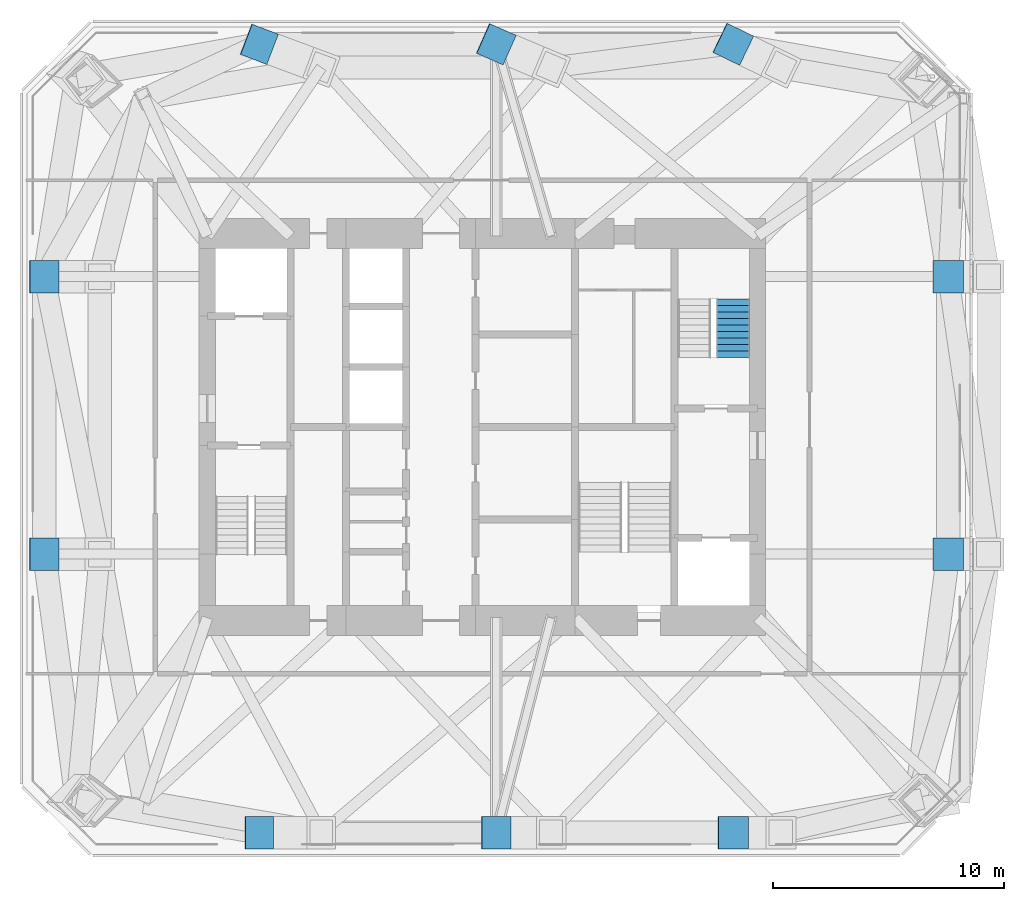
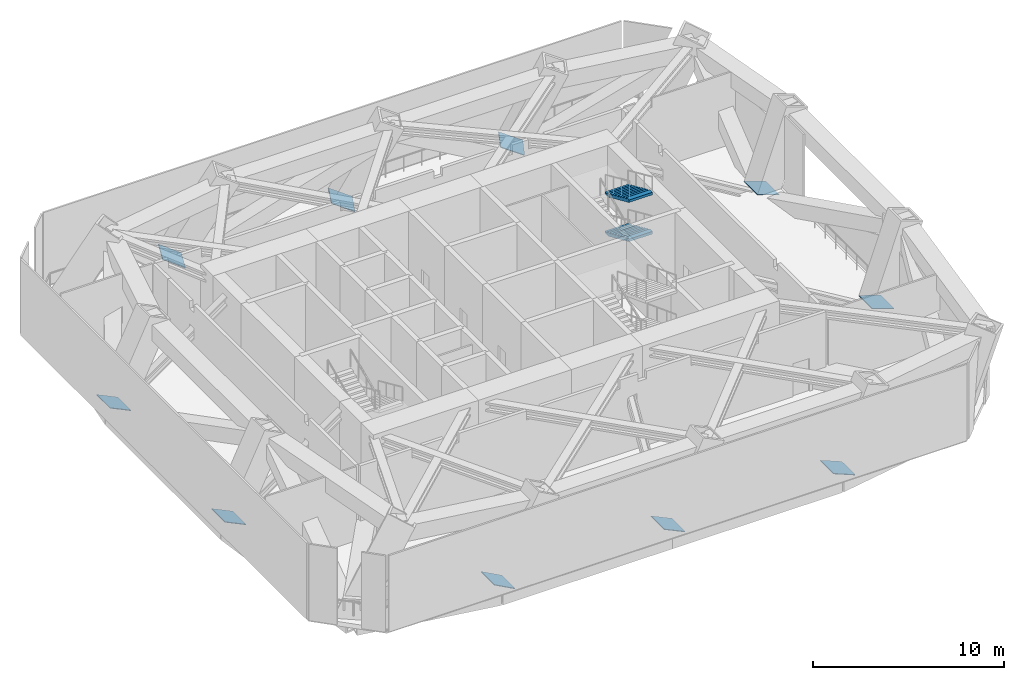
# One storey, part 6 of 8: 10 discrete accessories, 2 stair flights, 1 element without a shape of its own.
"""IFC4 building model written with IfcOpenShell, lengths in metres."""

import ifcopenshell
import ifcopenshell.guid

model = None  # the IFC model being written
_history = None  # IfcOwnerHistory: only IFC2X3 demands one
_inside = {}  # id of a spatial element -> (the spatial element, [elements in it])
_under = {}  # id of a project, library or spatial element -> (it, [spatial elements below it])
_declared = {}  # id of a project -> (the project, [libraries it declares])
_typed = {}  # id of a type object -> (the type object, [elements of that type])
_made_of = {}  # id of a material, layer set ... -> (it, [elements and type objects made of it])


def new_model(schema):
    """Start an empty IFC model of exactly this schema.

    Asked for "IFC4X3", IfcOpenShell would pick the latest addendum, in which some entities
    have other attributes; the version numbers below select the first issue.
    IFC2X3 requires an IfcOwnerHistory on every rooted entity: one is made here for all.
    """
    global model, _history
    if schema == "IFC4X3":
        model = ifcopenshell.file(schema_version=(4, 3, 0, 0))
    else:
        model = ifcopenshell.file(schema=schema)
    _inside.clear()
    _under.clear()
    _declared.clear()
    _typed.clear()
    _made_of.clear()
    _history = None
    if model.schema == "IFC2X3":
        org = make("IfcOrganization", Name="unknown")
        user = make(
            "IfcPersonAndOrganization",
            ThePerson=make("IfcPerson", FamilyName="unknown"),
            TheOrganization=org,
        )
        app = make(
            "IfcApplication",
            ApplicationDeveloper=org,
            Version="unknown",
            ApplicationFullName="unknown",
            ApplicationIdentifier="unknown",
        )
        _history = make(
            "IfcOwnerHistory",
            OwningUser=user,
            OwningApplication=app,
            ChangeAction="ADDED",
            CreationDate=0,
        )
    return model


def make(cls, **values):
    """One entity of the class cls with the attributes given. An attribute that is None is left unset."""
    return model.create_entity(
        cls, **{name: value for name, value in values.items() if value is not None}
    )


def rooted(cls, **values):
    """An entity with a GlobalId (a new one), such as an element, a storey or a relation."""
    return make(cls, GlobalId=ifcopenshell.guid.new(), OwnerHistory=_history, **values)


def si_unit(unit_type, name, prefix=None):
    """IfcSIUnit, for example si_unit("LENGTHUNIT", "METRE", prefix="MILLI")."""
    return make("IfcSIUnit", UnitType=unit_type, Prefix=prefix, Name=name)


def assignment(units):
    """IfcUnitAssignment: the units of a project."""
    return None if units is None else make("IfcUnitAssignment", Units=units)


def point(xyz):
    """IfcCartesianPoint."""
    return None if xyz is None else make("IfcCartesianPoint", Coordinates=xyz)


def direction(xyz):
    """IfcDirection."""
    return None if xyz is None else make("IfcDirection", DirectionRatios=xyz)


def frame(location, z_axis=None, x_axis=None):
    """IfcAxis2Placement3D, a coordinate frame: its origin and axes. An axis left out is left unset."""
    return make(
        "IfcAxis2Placement3D",
        Location=point(location),
        Axis=direction(z_axis),
        RefDirection=direction(x_axis),
    )


def frame_2d(location, x_axis=None):
    """IfcAxis2Placement2D, a coordinate frame in the plane: its origin and x axis."""
    return make(
        "IfcAxis2Placement2D", Location=point(location), RefDirection=direction(x_axis)
    )


def origin():
    """The frame at (0, 0, 0) with its axes left unset."""
    return frame((0.0, 0.0, 0.0))


def origin_2d():
    """The frame at (0, 0) in the plane with its x axis left unset."""
    return frame_2d((0.0, 0.0))


def place(relative_to, where):
    """IfcLocalPlacement: puts the frame where relative to a parent placement (None: the world)."""
    return make(
        "IfcLocalPlacement", PlacementRelTo=relative_to, RelativePlacement=where
    )


def context(
    kind, dimensions, precision=None, world=None, true_north=None, identifier=None
):
    """IfcGeometricRepresentationContext, for example the 3D "Model" context."""
    return make(
        "IfcGeometricRepresentationContext",
        ContextIdentifier=identifier,
        ContextType=kind,
        CoordinateSpaceDimension=dimensions,
        Precision=precision,
        WorldCoordinateSystem=world,
        TrueNorth=true_north,
    )


def subcontext(parent, identifier, kind, view, scale=None):
    """IfcGeometricRepresentationSubContext, for example "Body" below "Model"."""
    return make(
        "IfcGeometricRepresentationSubContext",
        ContextIdentifier=identifier,
        ContextType=kind,
        ParentContext=parent,
        TargetScale=scale,
        TargetView=view,
    )


def project(units=None, contexts=None):
    """IfcProject with its units and contexts."""
    return rooted(
        "IfcProject",
        Name="project",
        RepresentationContexts=contexts,
        UnitsInContext=assignment(units),
    )


def spatial(cls, under=None, at=None, **own):
    """A site, building, storey or space (cls), placed at a placement, below another one or the project."""
    s = rooted(cls, ObjectPlacement=at, **own)
    if under is not None:
        _under.setdefault(under.id(), (under, []))[1].append(s)
    return s


def polyline(points):
    """IfcPolyline through the points."""
    return make("IfcPolyline", Points=[point(p) for p in points])


def profile(cls, at=None, kind="AREA", **sizes):
    """A parametric profile (cls). Its sizes go by their IFC names, for example OverallWidth=200.0."""
    return make(cls, ProfileType=kind, Position=at, **sizes)


def rectangle(**sizes):
    """IfcRectangleProfileDef."""
    return profile("IfcRectangleProfileDef", **sizes)


def outline(outer, holes=None, kind="AREA"):
    """IfcArbitraryClosedProfileDef: a profile drawn as a closed curve; with holes, ...WithVoids."""
    if holes is None:
        return make("IfcArbitraryClosedProfileDef", ProfileType=kind, OuterCurve=outer)
    return make(
        "IfcArbitraryProfileDefWithVoids",
        ProfileType=kind,
        OuterCurve=outer,
        InnerCurves=holes,
    )


def extrude(swept, where, along, depth):
    """IfcExtrudedAreaSolid: the profile swept, set in the frame where, extruded along a direction by depth."""
    return make(
        "IfcExtrudedAreaSolid",
        SweptArea=swept,
        Position=where,
        ExtrudedDirection=direction(along),
        Depth=depth,
    )


def shape(context_of_items, identifier, shape_type, items):
    """IfcShapeRepresentation: the items that make up one representation, for example the "Body"."""
    return make(
        "IfcShapeRepresentation",
        ContextOfItems=context_of_items,
        RepresentationIdentifier=identifier,
        RepresentationType=shape_type,
        Items=items,
    )


def material(Name=None, Category=None):
    """IfcMaterial."""
    return make("IfcMaterial", Name=Name, Category=Category)


def material_profile(
    of_material, cross_section, Name=None, Category=None, Priority=None
):
    """IfcMaterialProfile: a cross section and its material."""
    return make(
        "IfcMaterialProfile",
        Name=Name,
        Material=of_material,
        Profile=cross_section,
        Priority=Priority,
        Category=Category,
    )


def profile_set(profiles, Name=None, composite=None):
    """IfcMaterialProfileSet."""
    return make(
        "IfcMaterialProfileSet",
        Name=Name,
        MaterialProfiles=profiles,
        CompositeProfile=composite,
    )


def made_of(thing, what):
    """Note that an element or type object is made of a material, layer set ...; save() writes the relation."""
    if what is not None:
        _made_of.setdefault(what.id(), (what, []))[1].append(thing)
    return thing


def type_object(cls, material=None, **own):
    """A type object (cls), such as IfcWallType, which elements share."""
    return made_of(rooted(cls, **own), material)


def element(
    cls,
    number,
    at=None,
    inside=None,
    cuts=None,
    type_object=None,
    material=None,
    context=None,
    identifier="Body",
    shape_type=None,
    held_by="IfcProductDefinitionShape",
    body=None,
    shapes=None,
    **own,
):
    """One element of the class cls, such as IfcWall. Its Tag is "e" and its number.

    at: its placement. inside: the storey or other place that contains it. cuts: it is an
    opening in that element (IfcRelVoidsElement). A single representation is given by context,
    identifier, shape_type and body (its items); several are given by shapes. held_by: the class
    of the entity that holds the representations. save() writes the other relations.
    """
    e = rooted(cls, Tag="e%d" % number, ObjectPlacement=at, **own)
    if body is not None:
        shapes = [shape(context, identifier, shape_type, body)]
    if shapes is not None:
        e.Representation = make(held_by, Representations=shapes)
    if inside is not None:
        _inside.setdefault(inside.id(), (inside, []))[1].append(e)
    if cuts is not None:
        rooted(
            "IfcRelVoidsElement", RelatingBuildingElement=cuts, RelatedOpeningElement=e
        )
    if type_object is not None:
        _typed.setdefault(type_object.id(), (type_object, []))[1].append(e)
    return made_of(e, material)


def aggregate(whole, parts):
    """IfcRelAggregates: a whole, such as a stair, and the parts it consists of."""
    return rooted("IfcRelAggregates", RelatingObject=whole, RelatedObjects=parts)


def save(model, path):
    """Write the relations noted so far, then the file.

    IfcRelAggregates (storeys below a building ...), IfcRelContainedInSpatialStructure (elements
    in a storey), IfcRelDefinesByType, IfcRelAssociatesMaterial and IfcRelDeclares: one each for
    every whole, place, type object, material and project.
    """
    for whole, parts in _under.values():
        aggregate(whole, parts)
    for where, things in _inside.values():
        rooted(
            "IfcRelContainedInSpatialStructure",
            RelatedElements=things,
            RelatingStructure=where,
        )
    for kind, things in _typed.values():
        rooted("IfcRelDefinesByType", RelatedObjects=things, RelatingType=kind)
    for what, things in _made_of.values():
        rooted("IfcRelAssociatesMaterial", RelatedObjects=things, RelatingMaterial=what)
    for by, libraries in _declared.values():
        rooted("IfcRelDeclares", RelatingContext=by, RelatedDefinitions=libraries)
    model.write(path)


model = new_model("IFC4")

# Units and contexts
model_context = context("Model", 3, precision=1e-05, world=origin(), true_north=direction((0.0, 1.0)))
body_context = subcontext(model_context, "Body", "Model", "MODEL_VIEW")
ifc_project = project(units=[si_unit("LENGTHUNIT", "METRE"), si_unit("AREAUNIT", "SQUARE_METRE"), si_unit("VOLUMEUNIT", "CUBIC_METRE"), si_unit("PLANEANGLEUNIT", "RADIAN"), si_unit("MASSUNIT", "GRAM", prefix="KILO")], contexts=[model_context])

# Site, building, storey
site_placement = place(None, origin())
site = spatial("IfcSite", under=ifc_project, at=site_placement, CompositionType="ELEMENT")
building_placement = place(site_placement, origin())
building = spatial("IfcBuilding", under=site, at=building_placement, Name="Jalousie Tower", CompositionType="ELEMENT")
storey_placement = place(building_placement, frame((0.0, 0.0, 207.949951171875)))
storey = spatial("IfcBuildingStorey", under=building, at=storey_placement, Name="L57", CompositionType="ELEMENT", Elevation=207.949951171875)

# Stair, stair flights
ifc_material_1 = material(Name="Concrete f'c 40 MPa", Category="concrete")
stair_type = type_object("IfcStairType", Name="EXIT STAIR", PredefinedType="HALF_TURN_STAIR", material=ifc_material_1)
stair_placement = place(storey_placement, origin())
stair = element("IfcStair", 1, at=stair_placement, inside=storey, type_object=stair_type, Name="Exit stair B L57", PredefinedType="HALF_TURN_STAIR")
ifc_material_2 = material(Name="Concrete f'c 40 MPa", Category="concrete")
stair_flight_type = type_object("IfcStairFlightType", Name="STAIR FLIGHT", PredefinedType="STRAIGHT", material=ifc_material_2)
stair_flight_1_placement = place(storey_placement, frame((42.737548828125, 24.0224609375, 1.25), z_axis=(0.0, 0.0, 1.0), x_axis=(0.0, -1.0, 0.0)))
stair_flight_1 = element("IfcStairFlight", 2, at=stair_flight_1_placement, type_object=stair_flight_type, Name="ST-B flight 2", NumberOfRisers=10, NumberOfTreads=9, PredefinedType="STRAIGHT", RiserHeight=0.125, TreadLength=0.28, context=body_context, shape_type="SweptSolid", body=[
    extrude(outline(polyline([(0.0, 0.0), (0.0, 0.125), (0.280029296875, 0.125), (0.280029296875, 0.25), (0.56005859375, 0.25), (0.56005859375, 0.375), (0.840087890625, 0.375), (0.840087890625, 0.5), (1.1201171875, 0.5), (1.1201171875, 0.625), (1.39990234375, 0.625), (1.39990234375, 0.75), (1.679931640625, 0.75), (1.679931640625, 0.875), (1.9599609375, 0.875), (1.9599609375, 1.0), (2.239990234375, 1.0), (2.239990234375, 1.125), (2.52001953125, 1.125), (2.52001953125, 1.25), (2.52001953125, 0.9609375), (0.36767578125, 0.0), (0.0, 0.0)])), frame((0.0, 0.71240234375, 0.0), z_axis=(0.0, -1.0, 0.0), x_axis=(1.0, 0.0, 0.0)), (0.0, 0.0, 1.0), 1.425048828125),
])
stair_flight_2_placement = place(storey_placement, frame((42.737548828125, 24.0224609375, 3.75), z_axis=(0.0, 0.0, 1.0), x_axis=(0.0, -1.0, 0.0)))
stair_flight_2 = element("IfcStairFlight", 3, at=stair_flight_2_placement, type_object=stair_flight_type, Name="ST-B flight 4", NumberOfRisers=10, NumberOfTreads=9, PredefinedType="STRAIGHT", RiserHeight=0.125, TreadLength=0.28, context=body_context, shape_type="SweptSolid", body=[
    extrude(outline(polyline([(0.0, 0.0), (0.0, 0.125), (0.280029296875, 0.125), (0.280029296875, 0.25), (0.56005859375, 0.25), (0.56005859375, 0.375), (0.840087890625, 0.375), (0.840087890625, 0.5), (1.1201171875, 0.5), (1.1201171875, 0.625), (1.39990234375, 0.625), (1.39990234375, 0.75), (1.679931640625, 0.75), (1.679931640625, 0.875), (1.9599609375, 0.875), (1.9599609375, 1.0), (2.239990234375, 1.0), (2.239990234375, 1.125), (2.52001953125, 1.125), (2.52001953125, 1.25), (2.52001953125, 0.9609375), (0.36767578125, 0.0), (0.0, 0.0)])), frame((0.0, 0.71240234375, 0.0), z_axis=(0.0, -1.0, 0.0), x_axis=(1.0, 0.0, 0.0)), (0.0, 0.0, 1.0), 1.425048828125),
])
aggregate(stair, [stair_flight_1, stair_flight_2])

# Discrete accessories
ifc_material_3 = material(Name="Steel ASTM A572 Grade 50 plate", Category="steel")
ifc_material_profile = material_profile(ifc_material_3, rectangle(XDim=1.39990234375, YDim=1.39990234375, at=origin_2d()), Name="BRACE END PLATE 1400x1400x40")
ifc_profile_set = profile_set([ifc_material_profile], Name="Steel ASTM A572 Grade 50 plate")
discrete_accessory_type = type_object("IfcDiscreteAccessoryType", Name="BRACE END PLATE 1400x1400x40", PredefinedType="USERDEFINED", material=ifc_profile_set)
for number, where, z_axis, x_axis, name in (
    (4, (22.240478515625, 0.949951171875, -0.017578125), (0.476283148541, 0.0, 0.879291966537), (0.0, 1.0, 0.0), "Transfer truss T3 strut 02 L57 end plate 1"),
    (5, (32.491455078125, 0.949951171875, -0.01806640625), (0.427561148889, 0.0, 0.90398642908), (0.0, 1.0, 0.0), "Transfer truss T3 strut 03 L57 end plate 1"),
    (6, (42.742431640625, 0.949951171875, -0.0185546875), (0.377683854905, 0.0, 0.925934612024), (0.0, 1.0, 0.0), "Transfer truss T3 strut 04 L57 end plate 1"),
    (7, (52.04345703125, 13.0, -0.018798828125), (0.328993186606, 0.0, 0.944332294887), (0.0, 1.0, 0.0), "Transfer truss T3 strut 06 L57 end plate 1"),
    (8, (52.04345703125, 25.0, -0.018798828125), (0.328993186606, 0.0, 0.944332294887), (0.0, 1.0, 0.0), "Transfer truss T3 strut 07 L57 end plate 1"),
    (9, (42.742431640625, 35.0537109375, -0.01806640625), (0.377704879585, -0.182760425606, 0.907710113841), (0.435560928104, 0.900159251416, 0.0), "Transfer truss T3 strut 09 L57 end plate 1"),
    (10, (32.49169921875, 35.0537109375, -0.017822265625), (0.415066475203, -0.18311756259, 0.891172137936), (0.403640206576, 0.914917801573, 0.0), "Transfer truss T3 strut 10 L57 end plate 1"),
    (11, (22.24072265625, 35.053466796875, -0.017333984375), (0.464408540172, -0.177208521908, 0.867710693479), (0.356506481981, 0.934292849328, 0.0), "Transfer truss T3 strut 11 L57 end plate 1"),
    (12, (12.94140625, 25.0, -0.01806640625), (0.432533007267, 0.0, 0.901618099655), (0.0, 1.0, 0.0), "Transfer truss T3 strut 13 L57 end plate 1"),
    (13, (12.94140625, 13.0, -0.01806640625), (0.432533007267, 0.0, 0.901618099655), (0.0, 1.0, 0.0), "Transfer truss T3 strut 14 L57 end plate 1"),
):
    element("IfcDiscreteAccessory", number, at=place(storey_placement, frame(where, z_axis=z_axis, x_axis=x_axis)), inside=storey, type_object=discrete_accessory_type, Name=name, ObjectType="STRUT END PLATE", PredefinedType="USERDEFINED", context=body_context, shape_type="SweptSolid", body=[
        extrude(rectangle(XDim=1.39990234375, YDim=1.39990234375, at=origin_2d()), origin(), (0.0, 0.0, 1.0), 0.0400390625),
    ])

save(model, "model.ifc")
